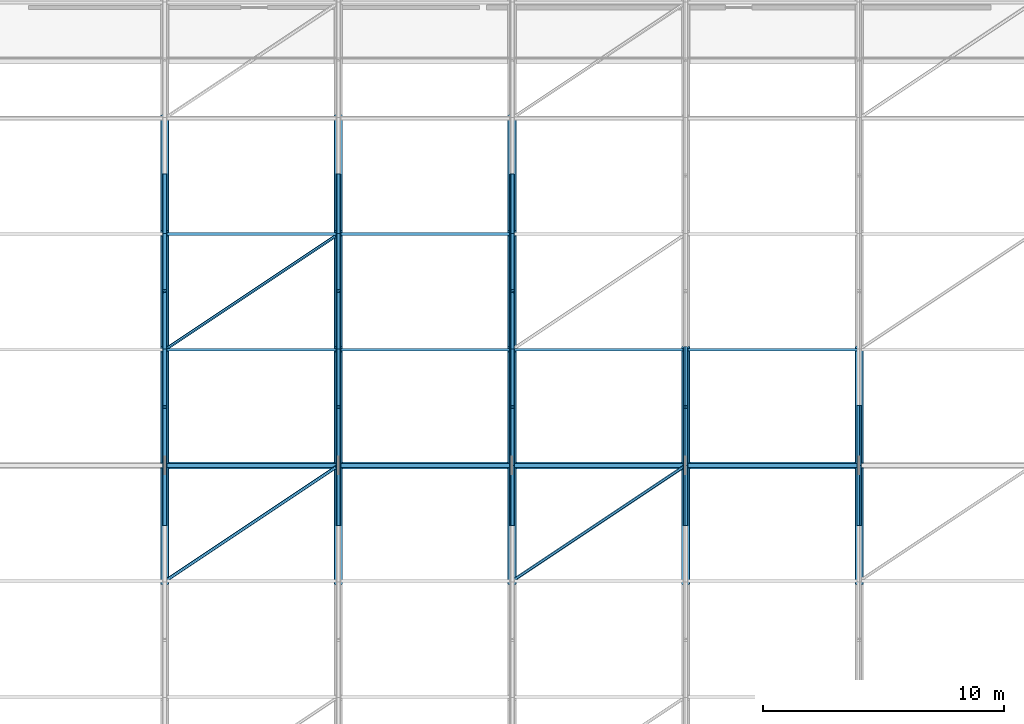
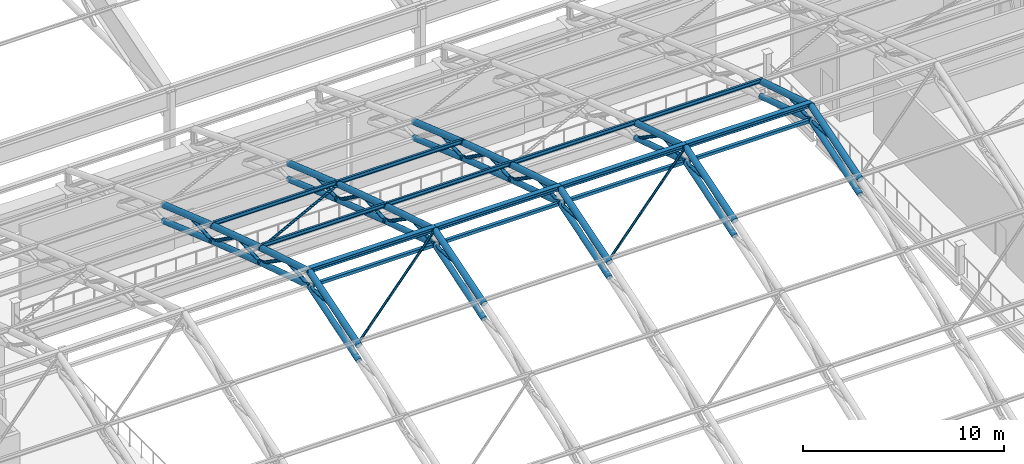
# One storey, part 51 of 116: 72 members.
"""IFC4 building model written with IfcOpenShell, lengths in metres."""

from ifc_helpers import new_model, si_unit, direction, frame, origin, origin_2d, place, context, subcontext, project, spatial, hollow_rectangle, hollow_circle, i_section, extrude, material, material_profile, profile_set, type_object, element, save


model = new_model("IFC4")

# Units and contexts
model_context = context("Model", 3, precision=1e-05, world=origin(), true_north=direction((0.0, 1.0)))
body_context = subcontext(model_context, "Body", "Model", "MODEL_VIEW")
ifc_project = project(units=[si_unit("LENGTHUNIT", "METRE"), si_unit("AREAUNIT", "SQUARE_METRE"), si_unit("VOLUMEUNIT", "CUBIC_METRE"), si_unit("PLANEANGLEUNIT", "RADIAN"), si_unit("MASSUNIT", "GRAM", prefix="KILO")], contexts=[model_context])

# Site, building, storey
site_placement = place(None, origin())
site = spatial("IfcSite", under=ifc_project, at=site_placement, CompositionType="ELEMENT")
building_placement = place(site_placement, origin())
building = spatial("IfcBuilding", under=site, at=building_placement, Name="Cendralis Lancet Convention Centre", CompositionType="ELEMENT")
storey_placement = place(building_placement, frame((0.0, 0.0, 15.0)))
storey = spatial("IfcBuildingStorey", under=building, at=storey_placement, Name="L03", CompositionType="ELEMENT", Elevation=15.0)

# Members
ifc_material = material(Name="Steel S355", Category="steel")
ifc_material_profile_1 = material_profile(ifc_material, hollow_circle(Radius=0.06982421875, WallThickness=0.00634765625, at=origin_2d()), Name="CHS 139.7x6.3")
ifc_profile_set_1 = profile_set([ifc_material_profile_1], Name="Steel S355")
member_type_1 = type_object("IfcMemberType", Name="STR-BR-RB02", PredefinedType="BRACE", material=ifc_profile_set_1)
member_1_placement = place(storey_placement, frame((160.800048828125, 62.39990234375, 9.7666015625), z_axis=(0.820083420216, 0.546731549451, 0.16896093253), x_axis=(-0.554706707029, 0.832045953765, 0.0)))
element("IfcMember", 1, at=member_1_placement, inside=storey, type_object=member_type_1, Name="Roof Diaphragm Brace RB02 V2-03-04A", PredefinedType="BRACE", context=body_context, shape_type="SweptSolid", body=[
    extrude(hollow_circle(Radius=0.06982421875, WallThickness=0.00634765625, at=origin_2d()), origin(), (0.0, 0.0, 1.0), 8.779541015625),
])
member_2_placement = place(storey_placement, frame((160.800048828125, 72.0, 9.7666015625), z_axis=(0.818780471721, 0.545862902394, -0.177854521781), x_axis=(-0.554706707029, 0.832045953765, 0.0)))
element("IfcMember", 2, at=member_2_placement, inside=storey, type_object=member_type_1, Name="Roof Diaphragm Brace RB02 V2-03-06A", PredefinedType="BRACE", context=body_context, shape_type="SweptSolid", body=[
    extrude(hollow_circle(Radius=0.06982421875, WallThickness=0.00634765625, at=origin_2d()), origin(), (0.0, 0.0, 1.0), 8.79345703125),
])
member_3_placement = place(storey_placement, frame((175.199951171875, 62.39990234375, 9.7666015625), z_axis=(0.820083420216, 0.546731549451, 0.16896093253), x_axis=(-0.554706707029, 0.832045953765, 0.0)))
element("IfcMember", 3, at=member_3_placement, inside=storey, type_object=member_type_1, Name="Roof Diaphragm Brace RB02 V2-05-04A", PredefinedType="BRACE", context=body_context, shape_type="SweptSolid", body=[
    extrude(hollow_circle(Radius=0.06982421875, WallThickness=0.00634765625, at=origin_2d()), origin(), (0.0, 0.0, 1.0), 8.779541015625),
])
ifc_material_profile_2 = material_profile(ifc_material, hollow_rectangle(XDim=0.179931640625, YDim=0.179931640625, WallThickness=0.010009765625, at=origin_2d()), Name="SHS 180x180x10.0")
ifc_profile_set_2 = profile_set([ifc_material_profile_2], Name="Steel S355")
member_type_2 = type_object("IfcMemberType", Name="STR-BR-ST02", PredefinedType="STRUT", material=ifc_profile_set_2)
for number, where, z_axis, x_axis, name in (
    (4, (160.800048828125, 67.199951171875, 10.367919921875), (1.0, 0.0, 0.0), (0.0, 1.0, 0.0), "Arch Tie Strut ST02 V2-03-05"),
    (5, (168.0, 67.199951171875, 10.367919921875), (1.0, 0.0, 0.0), (0.0, 1.0, 0.0), "Arch Tie Strut ST02 V2-04-05"),
    (6, (175.199951171875, 67.199951171875, 10.367919921875), (1.0, 0.0, 0.0), (0.0, 1.0, 0.0), "Arch Tie Strut ST02 V2-05-05"),
):
    element("IfcMember", number, at=place(storey_placement, frame(where, z_axis=z_axis, x_axis=x_axis)), inside=storey, type_object=member_type_2, Name=name, PredefinedType="STRUT", context=body_context, shape_type="SweptSolid", body=[
        extrude(hollow_rectangle(XDim=0.179931640625, YDim=0.179931640625, WallThickness=0.010009765625, at=origin_2d()), origin(), (0.0, 0.0, 1.0), 7.199951171875),
    ])
member_4_placement = place(storey_placement, frame((182.39990234375, 67.199951171875, 10.367919921875), z_axis=(1.0, 0.0, 0.0), x_axis=(0.0, 1.0, 0.0)))
element("IfcMember", 7, at=member_4_placement, inside=storey, type_object=member_type_2, Name="Arch Tie Strut ST02 V2-06-05", PredefinedType="STRUT", context=body_context, shape_type="SweptSolid", body=[
    extrude(hollow_rectangle(XDim=0.179931640625, YDim=0.179931640625, WallThickness=0.010009765625, at=origin_2d()), origin(), (0.0, 0.0, 1.0), 7.2001953125),
])
ifc_material_profile_3 = material_profile(ifc_material, i_section(OverallWidth=0.1201171875, OverallDepth=0.239990234375, WebThickness=0.006103515625, FlangeThickness=0.009765625, FilletRadius=0.014892578125, at=origin_2d()), Name="IPE 240")
ifc_profile_set_3 = profile_set([ifc_material_profile_3], Name="Steel S355")
member_type_3 = type_object("IfcMemberType", Name="STR-PR-PR02", PredefinedType="PURLIN", material=ifc_profile_set_3)
for number, where, z_axis, x_axis, name in (
    (8, (160.800048828125, 72.0, 9.896484375), (1.0, 0.0, 0.0), (0.0, 1.0, 0.0), "Vault Roof Purlin PR02 V2-03-06"),
    (9, (160.800048828125, 76.800048828125, 8.332763671875), (1.0, 0.0, 0.0), (0.0, 1.0, 0.0), "Vault Roof Purlin PR02 V2-03-07"),
    (10, (168.0, 72.0, 9.896484375), (1.0, 0.0, 0.0), (0.0, 1.0, 0.0), "Vault Roof Purlin PR02 V2-04-06"),
    (11, (168.0, 76.800048828125, 8.332763671875), (1.0, 0.0, 0.0), (0.0, 1.0, 0.0), "Vault Roof Purlin PR02 V2-04-07"),
    (12, (175.199951171875, 72.0, 9.896484375), (1.0, 0.0, 0.0), (0.0, 1.0, 0.0), "Vault Roof Purlin PR02 V2-05-06"),
):
    element("IfcMember", number, at=place(storey_placement, frame(where, z_axis=z_axis, x_axis=x_axis)), inside=storey, type_object=member_type_3, Name=name, PredefinedType="PURLIN", context=body_context, shape_type="SweptSolid", body=[
        extrude(i_section(OverallWidth=0.1201171875, OverallDepth=0.239990234375, WebThickness=0.006103515625, FlangeThickness=0.009765625, FilletRadius=0.014892578125, at=origin_2d()), origin(), (0.0, 0.0, 1.0), 7.199951171875),
    ])
member_5_placement = place(storey_placement, frame((182.39990234375, 72.0, 9.896484375), z_axis=(1.0, 0.0, 0.0), x_axis=(0.0, 1.0, 0.0)))
element("IfcMember", 13, at=member_5_placement, inside=storey, type_object=member_type_3, Name="Vault Roof Purlin PR02 V2-06-06", PredefinedType="PURLIN", context=body_context, shape_type="SweptSolid", body=[
    extrude(i_section(OverallWidth=0.1201171875, OverallDepth=0.239990234375, WebThickness=0.006103515625, FlangeThickness=0.009765625, FilletRadius=0.014892578125, at=origin_2d()), origin(), (0.0, 0.0, 1.0), 7.2001953125),
])
ifc_material_profile_4 = material_profile(ifc_material, i_section(OverallWidth=0.280029296875, OverallDepth=0.27001953125, WebThickness=0.008056640625, FlangeThickness=0.012939453125, FilletRadius=0.02392578125, at=origin_2d()), Name="HEA 280")
ifc_profile_set_4 = profile_set([ifc_material_profile_4], Name="Steel S355")
member_type_4 = type_object("IfcMemberType", Name="STR-PR-PR06", PredefinedType="PURLIN", material=ifc_profile_set_4)
for number, where, z_axis, x_axis, name in (
    (14, (160.800048828125, 67.199951171875, 11.364990234375), (1.0, 0.0, 0.0), (0.0, 1.0, 0.0), "Vault Roof Purlin PR06 V2-03-05"),
    (15, (168.0, 67.199951171875, 11.364990234375), (1.0, 0.0, 0.0), (0.0, 1.0, 0.0), "Vault Roof Purlin PR06 V2-04-05"),
    (16, (175.199951171875, 67.199951171875, 11.364990234375), (1.0, 0.0, 0.0), (0.0, 1.0, 0.0), "Vault Roof Purlin PR06 V2-05-05"),
):
    element("IfcMember", number, at=place(storey_placement, frame(where, z_axis=z_axis, x_axis=x_axis)), inside=storey, type_object=member_type_4, Name=name, PredefinedType="PURLIN", context=body_context, shape_type="SweptSolid", body=[
        extrude(i_section(OverallWidth=0.280029296875, OverallDepth=0.27001953125, WebThickness=0.008056640625, FlangeThickness=0.012939453125, FilletRadius=0.02392578125, at=origin_2d()), origin(), (0.0, 0.0, 1.0), 7.199951171875),
    ])
member_6_placement = place(storey_placement, frame((182.39990234375, 67.199951171875, 11.364990234375), z_axis=(1.0, 0.0, 0.0), x_axis=(0.0, 1.0, 0.0)))
element("IfcMember", 17, at=member_6_placement, inside=storey, type_object=member_type_4, Name="Vault Roof Purlin PR06 V2-06-05", PredefinedType="PURLIN", context=body_context, shape_type="SweptSolid", body=[
    extrude(i_section(OverallWidth=0.280029296875, OverallDepth=0.27001953125, WebThickness=0.008056640625, FlangeThickness=0.012939453125, FilletRadius=0.02392578125, at=origin_2d()), origin(), (0.0, 0.0, 1.0), 7.2001953125),
])
ifc_material_profile_5 = material_profile(ifc_material, hollow_circle(Radius=0.161865234375, WallThickness=0.01416015625, at=origin_2d()), Name="CHS 323.9x14.2")
ifc_profile_set_5 = profile_set([ifc_material_profile_5], Name="Steel S355")
member_type_5 = type_object("IfcMemberType", Name="STR-TR-BC02-INT", PredefinedType="CHORD", material=ifc_profile_set_5)
for number, where, z_axis, x_axis, name in (
    (18, (160.800048828125, 62.28564453125, 8.814697265625), (0.0, 0.953497974751, 0.301399422935), (-1.0, 0.0, 0.0), "ROOF TRUSS AT-V2-04 Bottom Chord 04"),
    (19, (160.800048828125, 67.085693359375, 10.404296875), (0.0, 0.953497974751, -0.301399422935), (-1.0, 0.0, 0.0), "ROOF TRUSS AT-V2-04 Bottom Chord 05"),
):
    element("IfcMember", number, at=place(storey_placement, frame(where, z_axis=z_axis, x_axis=x_axis)), inside=storey, type_object=member_type_5, Name=name, PredefinedType="CHORD", context=body_context, shape_type="SweptSolid", body=[
        extrude(hollow_circle(Radius=0.161865234375, WallThickness=0.01416015625, at=origin_2d()), origin(), (0.0, 0.0, 1.0), 5.274169921875),
    ])
member_7_placement = place(storey_placement, frame((160.800048828125, 71.885986328125, 8.888916015625), z_axis=(0.0, 0.948830629051, -0.315785429325), x_axis=(-1.0, 0.0, 0.0)))
element("IfcMember", 20, at=member_7_placement, inside=storey, type_object=member_type_5, Name="ROOF TRUSS AT-V2-04 Bottom Chord 06", PredefinedType="CHORD", context=body_context, shape_type="SweptSolid", body=[
    extrude(hollow_circle(Radius=0.161865234375, WallThickness=0.01416015625, at=origin_2d()), origin(), (0.0, 0.0, 1.0), 5.299072265625),
])
member_8_placement = place(storey_placement, frame((160.800048828125, 76.68701171875, 7.29345703125), z_axis=(0.0, 0.942788943503, -0.333390173833), x_axis=(-1.0, 0.0, 0.0)))
element("IfcMember", 21, at=member_8_placement, inside=storey, type_object=member_type_5, Name="ROOF TRUSS AT-V2-04 Bottom Chord 07", PredefinedType="CHORD", context=body_context, shape_type="SweptSolid", body=[
    extrude(hollow_circle(Radius=0.161865234375, WallThickness=0.01416015625, at=origin_2d()), origin(), (0.0, 0.0, 1.0), 5.3310546875),
])
for number, where, z_axis, x_axis, name in (
    (22, (168.0, 62.28564453125, 8.814697265625), (0.0, 0.953497974751, 0.301399422935), (-1.0, 0.0, 0.0), "ROOF TRUSS AT-V2-05 Bottom Chord 04"),
    (23, (168.0, 67.085693359375, 10.404296875), (0.0, 0.953497974751, -0.301399422935), (-1.0, 0.0, 0.0), "ROOF TRUSS AT-V2-05 Bottom Chord 05"),
):
    element("IfcMember", number, at=place(storey_placement, frame(where, z_axis=z_axis, x_axis=x_axis)), inside=storey, type_object=member_type_5, Name=name, PredefinedType="CHORD", context=body_context, shape_type="SweptSolid", body=[
        extrude(hollow_circle(Radius=0.161865234375, WallThickness=0.01416015625, at=origin_2d()), origin(), (0.0, 0.0, 1.0), 5.274169921875),
    ])
member_9_placement = place(storey_placement, frame((168.0, 71.885986328125, 8.888916015625), z_axis=(0.0, 0.948830629051, -0.315785429325), x_axis=(-1.0, 0.0, 0.0)))
element("IfcMember", 24, at=member_9_placement, inside=storey, type_object=member_type_5, Name="ROOF TRUSS AT-V2-05 Bottom Chord 06", PredefinedType="CHORD", context=body_context, shape_type="SweptSolid", body=[
    extrude(hollow_circle(Radius=0.161865234375, WallThickness=0.01416015625, at=origin_2d()), origin(), (0.0, 0.0, 1.0), 5.299072265625),
])
member_10_placement = place(storey_placement, frame((168.0, 76.68701171875, 7.29345703125), z_axis=(0.0, 0.942788943503, -0.333390173833), x_axis=(-1.0, 0.0, 0.0)))
element("IfcMember", 25, at=member_10_placement, inside=storey, type_object=member_type_5, Name="ROOF TRUSS AT-V2-05 Bottom Chord 07", PredefinedType="CHORD", context=body_context, shape_type="SweptSolid", body=[
    extrude(hollow_circle(Radius=0.161865234375, WallThickness=0.01416015625, at=origin_2d()), origin(), (0.0, 0.0, 1.0), 5.3310546875),
])
for number, where, z_axis, x_axis, name in (
    (26, (175.199951171875, 62.28564453125, 8.814697265625), (0.0, 0.953497974751, 0.301399422935), (-1.0, 0.0, 0.0), "ROOF TRUSS AT-V2-06 Bottom Chord 04"),
    (27, (175.199951171875, 67.085693359375, 10.404296875), (0.0, 0.953497974751, -0.301399422935), (-1.0, 0.0, 0.0), "ROOF TRUSS AT-V2-06 Bottom Chord 05"),
):
    element("IfcMember", number, at=place(storey_placement, frame(where, z_axis=z_axis, x_axis=x_axis)), inside=storey, type_object=member_type_5, Name=name, PredefinedType="CHORD", context=body_context, shape_type="SweptSolid", body=[
        extrude(hollow_circle(Radius=0.161865234375, WallThickness=0.01416015625, at=origin_2d()), origin(), (0.0, 0.0, 1.0), 5.274169921875),
    ])
member_11_placement = place(storey_placement, frame((175.199951171875, 71.885986328125, 8.888916015625), z_axis=(0.0, 0.948830629051, -0.315785429325), x_axis=(-1.0, 0.0, 0.0)))
element("IfcMember", 28, at=member_11_placement, inside=storey, type_object=member_type_5, Name="ROOF TRUSS AT-V2-06 Bottom Chord 06", PredefinedType="CHORD", context=body_context, shape_type="SweptSolid", body=[
    extrude(hollow_circle(Radius=0.161865234375, WallThickness=0.01416015625, at=origin_2d()), origin(), (0.0, 0.0, 1.0), 5.299072265625),
])
member_12_placement = place(storey_placement, frame((175.199951171875, 76.68701171875, 7.29345703125), z_axis=(0.0, 0.942788943503, -0.333390173833), x_axis=(-1.0, 0.0, 0.0)))
element("IfcMember", 29, at=member_12_placement, inside=storey, type_object=member_type_5, Name="ROOF TRUSS AT-V2-06 Bottom Chord 07", PredefinedType="CHORD", context=body_context, shape_type="SweptSolid", body=[
    extrude(hollow_circle(Radius=0.161865234375, WallThickness=0.01416015625, at=origin_2d()), origin(), (0.0, 0.0, 1.0), 5.3310546875),
])
for number, where, z_axis, x_axis, name in (
    (30, (182.39990234375, 62.28564453125, 8.814697265625), (0.0, 0.953497974751, 0.301399422935), (-1.0, 0.0, 0.0), "ROOF TRUSS AT-V2-07 Bottom Chord 04"),
    (31, (182.39990234375, 67.085693359375, 10.404296875), (0.0, 0.953497974751, -0.301399422935), (-1.0, 0.0, 0.0), "ROOF TRUSS AT-V2-07 Bottom Chord 05"),
    (32, (189.60009765625, 62.28564453125, 8.814697265625), (0.0, 0.953497974751, 0.301399422935), (-1.0, 0.0, 0.0), "ROOF TRUSS AT-V2-08 Bottom Chord 04"),
    (33, (189.60009765625, 67.085693359375, 10.404296875), (0.0, 0.953497974751, -0.301399422935), (-1.0, 0.0, 0.0), "ROOF TRUSS AT-V2-08 Bottom Chord 05"),
):
    element("IfcMember", number, at=place(storey_placement, frame(where, z_axis=z_axis, x_axis=x_axis)), inside=storey, type_object=member_type_5, Name=name, PredefinedType="CHORD", context=body_context, shape_type="SweptSolid", body=[
        extrude(hollow_circle(Radius=0.161865234375, WallThickness=0.01416015625, at=origin_2d()), origin(), (0.0, 0.0, 1.0), 5.274169921875),
    ])
ifc_material_profile_6 = material_profile(ifc_material, hollow_circle(Radius=0.177734375, WallThickness=0.01611328125, at=origin_2d()), Name="CHS 355.6x16.0")
ifc_profile_set_6 = profile_set([ifc_material_profile_6], Name="Steel S355")
member_type_6 = type_object("IfcMemberType", Name="STR-TR-TC02-INT", PredefinedType="CHORD", material=ifc_profile_set_6)
member_13_placement = place(storey_placement, frame((160.800048828125, 62.285400390625, 9.731201171875), z_axis=(0.0, 0.955419293566, 0.295252389458), x_axis=(-1.0, 0.0, 0.0)))
element("IfcMember", 34, at=member_13_placement, inside=storey, type_object=member_type_6, Name="ROOF TRUSS AT-V2-04 Top Chord 04", PredefinedType="CHORD", context=body_context, shape_type="SweptSolid", body=[
    extrude(hollow_circle(Radius=0.177734375, WallThickness=0.01611328125, at=origin_2d()), origin(), (0.0, 0.0, 1.0), 5.263916015625),
])
member_14_placement = place(storey_placement, frame((160.800048828125, 67.08544921875, 11.285400390625), z_axis=(0.0, 0.955415250206, -0.295265473218), x_axis=(-1.0, 0.0, 0.0)))
element("IfcMember", 35, at=member_14_placement, inside=storey, type_object=member_type_6, Name="ROOF TRUSS AT-V2-04 Top Chord 05", PredefinedType="CHORD", context=body_context, shape_type="SweptSolid", body=[
    extrude(hollow_circle(Radius=0.177734375, WallThickness=0.01611328125, at=origin_2d()), origin(), (0.0, 0.0, 1.0), 5.263671875),
])
member_15_placement = place(storey_placement, frame((160.800048828125, 71.885986328125, 9.8037109375), z_axis=(0.0, 0.950808200203, -0.309780190501), x_axis=(-1.0, 0.0, 0.0)))
element("IfcMember", 36, at=member_15_placement, inside=storey, type_object=member_type_6, Name="ROOF TRUSS AT-V2-04 Top Chord 06", PredefinedType="CHORD", context=body_context, shape_type="SweptSolid", body=[
    extrude(hollow_circle(Radius=0.177734375, WallThickness=0.01611328125, at=origin_2d()), origin(), (0.0, 0.0, 1.0), 5.288330078125),
])
member_16_placement = place(storey_placement, frame((160.800048828125, 76.6865234375, 8.241943359375), z_axis=(0.0, 0.944848505706, -0.327507711764), x_axis=(-1.0, 0.0, 0.0)))
element("IfcMember", 37, at=member_16_placement, inside=storey, type_object=member_type_6, Name="ROOF TRUSS AT-V2-04 Top Chord 07", PredefinedType="CHORD", context=body_context, shape_type="SweptSolid", body=[
    extrude(hollow_circle(Radius=0.177734375, WallThickness=0.01611328125, at=origin_2d()), origin(), (0.0, 0.0, 1.0), 5.3203125),
])
member_17_placement = place(storey_placement, frame((168.0, 62.285400390625, 9.731201171875), z_axis=(0.0, 0.955419293566, 0.295252389458), x_axis=(-1.0, 0.0, 0.0)))
element("IfcMember", 38, at=member_17_placement, inside=storey, type_object=member_type_6, Name="ROOF TRUSS AT-V2-05 Top Chord 04", PredefinedType="CHORD", context=body_context, shape_type="SweptSolid", body=[
    extrude(hollow_circle(Radius=0.177734375, WallThickness=0.01611328125, at=origin_2d()), origin(), (0.0, 0.0, 1.0), 5.263916015625),
])
member_18_placement = place(storey_placement, frame((168.0, 67.08544921875, 11.285400390625), z_axis=(0.0, 0.955415250206, -0.295265473218), x_axis=(-1.0, 0.0, 0.0)))
element("IfcMember", 39, at=member_18_placement, inside=storey, type_object=member_type_6, Name="ROOF TRUSS AT-V2-05 Top Chord 05", PredefinedType="CHORD", context=body_context, shape_type="SweptSolid", body=[
    extrude(hollow_circle(Radius=0.177734375, WallThickness=0.01611328125, at=origin_2d()), origin(), (0.0, 0.0, 1.0), 5.263671875),
])
member_19_placement = place(storey_placement, frame((168.0, 71.885986328125, 9.8037109375), z_axis=(0.0, 0.950808200203, -0.309780190501), x_axis=(-1.0, 0.0, 0.0)))
element("IfcMember", 40, at=member_19_placement, inside=storey, type_object=member_type_6, Name="ROOF TRUSS AT-V2-05 Top Chord 06", PredefinedType="CHORD", context=body_context, shape_type="SweptSolid", body=[
    extrude(hollow_circle(Radius=0.177734375, WallThickness=0.01611328125, at=origin_2d()), origin(), (0.0, 0.0, 1.0), 5.288330078125),
])
member_20_placement = place(storey_placement, frame((168.0, 76.6865234375, 8.241943359375), z_axis=(0.0, 0.944848505706, -0.327507711764), x_axis=(-1.0, 0.0, 0.0)))
element("IfcMember", 41, at=member_20_placement, inside=storey, type_object=member_type_6, Name="ROOF TRUSS AT-V2-05 Top Chord 07", PredefinedType="CHORD", context=body_context, shape_type="SweptSolid", body=[
    extrude(hollow_circle(Radius=0.177734375, WallThickness=0.01611328125, at=origin_2d()), origin(), (0.0, 0.0, 1.0), 5.3203125),
])
member_21_placement = place(storey_placement, frame((175.199951171875, 62.285400390625, 9.731201171875), z_axis=(0.0, 0.955419293566, 0.295252389458), x_axis=(-1.0, 0.0, 0.0)))
element("IfcMember", 42, at=member_21_placement, inside=storey, type_object=member_type_6, Name="ROOF TRUSS AT-V2-06 Top Chord 04", PredefinedType="CHORD", context=body_context, shape_type="SweptSolid", body=[
    extrude(hollow_circle(Radius=0.177734375, WallThickness=0.01611328125, at=origin_2d()), origin(), (0.0, 0.0, 1.0), 5.263916015625),
])
member_22_placement = place(storey_placement, frame((175.199951171875, 67.08544921875, 11.285400390625), z_axis=(0.0, 0.955415250206, -0.295265473218), x_axis=(-1.0, 0.0, 0.0)))
element("IfcMember", 43, at=member_22_placement, inside=storey, type_object=member_type_6, Name="ROOF TRUSS AT-V2-06 Top Chord 05", PredefinedType="CHORD", context=body_context, shape_type="SweptSolid", body=[
    extrude(hollow_circle(Radius=0.177734375, WallThickness=0.01611328125, at=origin_2d()), origin(), (0.0, 0.0, 1.0), 5.263671875),
])
member_23_placement = place(storey_placement, frame((175.199951171875, 71.885986328125, 9.8037109375), z_axis=(0.0, 0.950808200203, -0.309780190501), x_axis=(-1.0, 0.0, 0.0)))
element("IfcMember", 44, at=member_23_placement, inside=storey, type_object=member_type_6, Name="ROOF TRUSS AT-V2-06 Top Chord 06", PredefinedType="CHORD", context=body_context, shape_type="SweptSolid", body=[
    extrude(hollow_circle(Radius=0.177734375, WallThickness=0.01611328125, at=origin_2d()), origin(), (0.0, 0.0, 1.0), 5.288330078125),
])
member_24_placement = place(storey_placement, frame((175.199951171875, 76.6865234375, 8.241943359375), z_axis=(0.0, 0.944848505706, -0.327507711764), x_axis=(-1.0, 0.0, 0.0)))
element("IfcMember", 45, at=member_24_placement, inside=storey, type_object=member_type_6, Name="ROOF TRUSS AT-V2-06 Top Chord 07", PredefinedType="CHORD", context=body_context, shape_type="SweptSolid", body=[
    extrude(hollow_circle(Radius=0.177734375, WallThickness=0.01611328125, at=origin_2d()), origin(), (0.0, 0.0, 1.0), 5.3203125),
])
member_25_placement = place(storey_placement, frame((182.39990234375, 62.285400390625, 9.731201171875), z_axis=(0.0, 0.955419293566, 0.295252389458), x_axis=(-1.0, 0.0, 0.0)))
element("IfcMember", 46, at=member_25_placement, inside=storey, type_object=member_type_6, Name="ROOF TRUSS AT-V2-07 Top Chord 04", PredefinedType="CHORD", context=body_context, shape_type="SweptSolid", body=[
    extrude(hollow_circle(Radius=0.177734375, WallThickness=0.01611328125, at=origin_2d()), origin(), (0.0, 0.0, 1.0), 5.263916015625),
])
member_26_placement = place(storey_placement, frame((182.39990234375, 67.08544921875, 11.285400390625), z_axis=(0.0, 0.955415250206, -0.295265473218), x_axis=(-1.0, 0.0, 0.0)))
element("IfcMember", 47, at=member_26_placement, inside=storey, type_object=member_type_6, Name="ROOF TRUSS AT-V2-07 Top Chord 05", PredefinedType="CHORD", context=body_context, shape_type="SweptSolid", body=[
    extrude(hollow_circle(Radius=0.177734375, WallThickness=0.01611328125, at=origin_2d()), origin(), (0.0, 0.0, 1.0), 5.263671875),
])
member_27_placement = place(storey_placement, frame((189.60009765625, 62.285400390625, 9.731201171875), z_axis=(0.0, 0.955419293566, 0.295252389458), x_axis=(-1.0, 0.0, 0.0)))
element("IfcMember", 48, at=member_27_placement, inside=storey, type_object=member_type_6, Name="ROOF TRUSS AT-V2-08 Top Chord 04", PredefinedType="CHORD", context=body_context, shape_type="SweptSolid", body=[
    extrude(hollow_circle(Radius=0.177734375, WallThickness=0.01611328125, at=origin_2d()), origin(), (0.0, 0.0, 1.0), 5.263916015625),
])
member_28_placement = place(storey_placement, frame((189.60009765625, 67.08544921875, 11.285400390625), z_axis=(0.0, 0.955415250206, -0.295265473218), x_axis=(-1.0, 0.0, 0.0)))
element("IfcMember", 49, at=member_28_placement, inside=storey, type_object=member_type_6, Name="ROOF TRUSS AT-V2-08 Top Chord 05", PredefinedType="CHORD", context=body_context, shape_type="SweptSolid", body=[
    extrude(hollow_circle(Radius=0.177734375, WallThickness=0.01611328125, at=origin_2d()), origin(), (0.0, 0.0, 1.0), 5.263671875),
])
ifc_material_profile_7 = material_profile(ifc_material, hollow_circle(Radius=0.096923828125, WallThickness=0.008056640625, at=origin_2d()), Name="CHS 193.7x8.0")
ifc_profile_set_7 = profile_set([ifc_material_profile_7], Name="Steel S355")
member_type_7 = type_object("IfcMemberType", Name="STR-TR-WD02-INT", PredefinedType="BRACE", material=ifc_profile_set_7)
for number, where, z_axis, x_axis, name in (
    (50, (160.800048828125, 64.7001953125, 10.51416015625), (0.0, 0.998298213899, -0.058315316402), (-1.0, 0.0, 0.0), "ROOF TRUSS AT-V2-04 Warren Web 04-1"),
    (51, (160.800048828125, 67.10009765625, 10.3623046875), (0.0, 0.998298213899, 0.058315316402), (-1.0, 0.0, 0.0), "ROOF TRUSS AT-V2-04 Warren Web 05-0"),
):
    element("IfcMember", number, at=place(storey_placement, frame(where, z_axis=z_axis, x_axis=x_axis)), inside=storey, type_object=member_type_7, Name=name, PredefinedType="BRACE", context=body_context, shape_type="SweptSolid", body=[
        extrude(hollow_circle(Radius=0.096923828125, WallThickness=0.008056640625, at=origin_2d()), origin(), (0.0, 0.0, 1.0), 2.60400390625),
    ])
member_29_placement = place(storey_placement, frame((160.800048828125, 69.517578125, 10.565185546875), z_axis=(0.0, 0.822876843509, -0.56821976419), x_axis=(-1.0, 0.0, 0.0)))
element("IfcMember", 52, at=member_29_placement, inside=storey, type_object=member_type_7, Name="ROOF TRUSS AT-V2-04 Warren Web 05-1", PredefinedType="BRACE", context=body_context, shape_type="SweptSolid", body=[
    extrude(hollow_circle(Radius=0.096923828125, WallThickness=0.008056640625, at=origin_2d()), origin(), (0.0, 0.0, 1.0), 3.11669921875),
])
member_30_placement = place(storey_placement, frame((160.800048828125, 71.900146484375, 8.84521484375), z_axis=(0.0, 0.998447632237, 0.055698524939), x_axis=(-1.0, 0.0, 0.0)))
element("IfcMember", 53, at=member_30_placement, inside=storey, type_object=member_type_7, Name="ROOF TRUSS AT-V2-04 Warren Web 06-0", PredefinedType="BRACE", context=body_context, shape_type="SweptSolid", body=[
    extrude(hollow_circle(Radius=0.096923828125, WallThickness=0.008056640625, at=origin_2d()), origin(), (0.0, 0.0, 1.0), 2.603759765625),
])
member_31_placement = place(storey_placement, frame((160.800048828125, 74.31884765625, 9.043212890625), z_axis=(0.0, 0.811035686786, -0.584996679273), x_axis=(-1.0, 0.0, 0.0)))
element("IfcMember", 54, at=member_31_placement, inside=storey, type_object=member_type_7, Name="ROOF TRUSS AT-V2-04 Warren Web 06-1", PredefinedType="BRACE", context=body_context, shape_type="SweptSolid", body=[
    extrude(hollow_circle(Radius=0.096923828125, WallThickness=0.008056640625, at=origin_2d()), origin(), (0.0, 0.0, 1.0), 3.1591796875),
])
member_32_placement = place(storey_placement, frame((160.800048828125, 76.7001953125, 7.24853515625), z_axis=(0.0, 0.998805103147, 0.048870910851), x_axis=(-1.0, 0.0, 0.0)))
element("IfcMember", 55, at=member_32_placement, inside=storey, type_object=member_type_7, Name="ROOF TRUSS AT-V2-04 Warren Web 07-0", PredefinedType="BRACE", context=body_context, shape_type="SweptSolid", body=[
    extrude(hollow_circle(Radius=0.096923828125, WallThickness=0.008056640625, at=origin_2d()), origin(), (0.0, 0.0, 1.0), 2.602783203125),
])
for number, where, z_axis, x_axis, name in (
    (56, (168.0, 64.7001953125, 10.51416015625), (0.0, 0.998298213899, -0.058315316402), (-1.0, 0.0, 0.0), "ROOF TRUSS AT-V2-05 Warren Web 04-1"),
    (57, (168.0, 67.10009765625, 10.3623046875), (0.0, 0.998298213899, 0.058315316402), (-1.0, 0.0, 0.0), "ROOF TRUSS AT-V2-05 Warren Web 05-0"),
):
    element("IfcMember", number, at=place(storey_placement, frame(where, z_axis=z_axis, x_axis=x_axis)), inside=storey, type_object=member_type_7, Name=name, PredefinedType="BRACE", context=body_context, shape_type="SweptSolid", body=[
        extrude(hollow_circle(Radius=0.096923828125, WallThickness=0.008056640625, at=origin_2d()), origin(), (0.0, 0.0, 1.0), 2.60400390625),
    ])
member_33_placement = place(storey_placement, frame((168.0, 69.517578125, 10.565185546875), z_axis=(0.0, 0.822876843509, -0.56821976419), x_axis=(-1.0, 0.0, 0.0)))
element("IfcMember", 58, at=member_33_placement, inside=storey, type_object=member_type_7, Name="ROOF TRUSS AT-V2-05 Warren Web 05-1", PredefinedType="BRACE", context=body_context, shape_type="SweptSolid", body=[
    extrude(hollow_circle(Radius=0.096923828125, WallThickness=0.008056640625, at=origin_2d()), origin(), (0.0, 0.0, 1.0), 3.11669921875),
])
member_34_placement = place(storey_placement, frame((168.0, 71.900146484375, 8.84521484375), z_axis=(0.0, 0.998447632237, 0.055698524939), x_axis=(-1.0, 0.0, 0.0)))
element("IfcMember", 59, at=member_34_placement, inside=storey, type_object=member_type_7, Name="ROOF TRUSS AT-V2-05 Warren Web 06-0", PredefinedType="BRACE", context=body_context, shape_type="SweptSolid", body=[
    extrude(hollow_circle(Radius=0.096923828125, WallThickness=0.008056640625, at=origin_2d()), origin(), (0.0, 0.0, 1.0), 2.603759765625),
])
member_35_placement = place(storey_placement, frame((168.0, 74.31884765625, 9.043212890625), z_axis=(0.0, 0.811035686786, -0.584996679273), x_axis=(-1.0, 0.0, 0.0)))
element("IfcMember", 60, at=member_35_placement, inside=storey, type_object=member_type_7, Name="ROOF TRUSS AT-V2-05 Warren Web 06-1", PredefinedType="BRACE", context=body_context, shape_type="SweptSolid", body=[
    extrude(hollow_circle(Radius=0.096923828125, WallThickness=0.008056640625, at=origin_2d()), origin(), (0.0, 0.0, 1.0), 3.1591796875),
])
member_36_placement = place(storey_placement, frame((168.0, 76.7001953125, 7.24853515625), z_axis=(0.0, 0.998805103147, 0.048870910851), x_axis=(-1.0, 0.0, 0.0)))
element("IfcMember", 61, at=member_36_placement, inside=storey, type_object=member_type_7, Name="ROOF TRUSS AT-V2-05 Warren Web 07-0", PredefinedType="BRACE", context=body_context, shape_type="SweptSolid", body=[
    extrude(hollow_circle(Radius=0.096923828125, WallThickness=0.008056640625, at=origin_2d()), origin(), (0.0, 0.0, 1.0), 2.602783203125),
])
for number, where, z_axis, x_axis, name in (
    (62, (175.199951171875, 64.7001953125, 10.51416015625), (0.0, 0.998298213899, -0.058315316402), (-1.0, 0.0, 0.0), "ROOF TRUSS AT-V2-06 Warren Web 04-1"),
    (63, (175.199951171875, 67.10009765625, 10.3623046875), (0.0, 0.998298213899, 0.058315316402), (-1.0, 0.0, 0.0), "ROOF TRUSS AT-V2-06 Warren Web 05-0"),
):
    element("IfcMember", number, at=place(storey_placement, frame(where, z_axis=z_axis, x_axis=x_axis)), inside=storey, type_object=member_type_7, Name=name, PredefinedType="BRACE", context=body_context, shape_type="SweptSolid", body=[
        extrude(hollow_circle(Radius=0.096923828125, WallThickness=0.008056640625, at=origin_2d()), origin(), (0.0, 0.0, 1.0), 2.60400390625),
    ])
member_37_placement = place(storey_placement, frame((175.199951171875, 69.517578125, 10.565185546875), z_axis=(0.0, 0.822876843509, -0.56821976419), x_axis=(-1.0, 0.0, 0.0)))
element("IfcMember", 64, at=member_37_placement, inside=storey, type_object=member_type_7, Name="ROOF TRUSS AT-V2-06 Warren Web 05-1", PredefinedType="BRACE", context=body_context, shape_type="SweptSolid", body=[
    extrude(hollow_circle(Radius=0.096923828125, WallThickness=0.008056640625, at=origin_2d()), origin(), (0.0, 0.0, 1.0), 3.11669921875),
])
member_38_placement = place(storey_placement, frame((175.199951171875, 71.900146484375, 8.84521484375), z_axis=(0.0, 0.998447632237, 0.055698524939), x_axis=(-1.0, 0.0, 0.0)))
element("IfcMember", 65, at=member_38_placement, inside=storey, type_object=member_type_7, Name="ROOF TRUSS AT-V2-06 Warren Web 06-0", PredefinedType="BRACE", context=body_context, shape_type="SweptSolid", body=[
    extrude(hollow_circle(Radius=0.096923828125, WallThickness=0.008056640625, at=origin_2d()), origin(), (0.0, 0.0, 1.0), 2.603759765625),
])
member_39_placement = place(storey_placement, frame((175.199951171875, 74.31884765625, 9.043212890625), z_axis=(0.0, 0.811035686786, -0.584996679273), x_axis=(-1.0, 0.0, 0.0)))
element("IfcMember", 66, at=member_39_placement, inside=storey, type_object=member_type_7, Name="ROOF TRUSS AT-V2-06 Warren Web 06-1", PredefinedType="BRACE", context=body_context, shape_type="SweptSolid", body=[
    extrude(hollow_circle(Radius=0.096923828125, WallThickness=0.008056640625, at=origin_2d()), origin(), (0.0, 0.0, 1.0), 3.1591796875),
])
member_40_placement = place(storey_placement, frame((175.199951171875, 76.7001953125, 7.24853515625), z_axis=(0.0, 0.998805103147, 0.048870910851), x_axis=(-1.0, 0.0, 0.0)))
element("IfcMember", 67, at=member_40_placement, inside=storey, type_object=member_type_7, Name="ROOF TRUSS AT-V2-06 Warren Web 07-0", PredefinedType="BRACE", context=body_context, shape_type="SweptSolid", body=[
    extrude(hollow_circle(Radius=0.096923828125, WallThickness=0.008056640625, at=origin_2d()), origin(), (0.0, 0.0, 1.0), 2.602783203125),
])
for number, where, z_axis, x_axis, name in (
    (68, (182.39990234375, 64.7001953125, 10.51416015625), (0.0, 0.998298213899, -0.058315316402), (-1.0, 0.0, 0.0), "ROOF TRUSS AT-V2-07 Warren Web 04-1"),
    (69, (182.39990234375, 67.10009765625, 10.3623046875), (0.0, 0.998298213899, 0.058315316402), (-1.0, 0.0, 0.0), "ROOF TRUSS AT-V2-07 Warren Web 05-0"),
):
    element("IfcMember", number, at=place(storey_placement, frame(where, z_axis=z_axis, x_axis=x_axis)), inside=storey, type_object=member_type_7, Name=name, PredefinedType="BRACE", context=body_context, shape_type="SweptSolid", body=[
        extrude(hollow_circle(Radius=0.096923828125, WallThickness=0.008056640625, at=origin_2d()), origin(), (0.0, 0.0, 1.0), 2.60400390625),
    ])
member_41_placement = place(storey_placement, frame((182.39990234375, 69.517578125, 10.565185546875), z_axis=(0.0, 0.822876843509, -0.56821976419), x_axis=(-1.0, 0.0, 0.0)))
element("IfcMember", 70, at=member_41_placement, inside=storey, type_object=member_type_7, Name="ROOF TRUSS AT-V2-07 Warren Web 05-1", PredefinedType="BRACE", context=body_context, shape_type="SweptSolid", body=[
    extrude(hollow_circle(Radius=0.096923828125, WallThickness=0.008056640625, at=origin_2d()), origin(), (0.0, 0.0, 1.0), 3.11669921875),
])
for number, where, z_axis, x_axis, name in (
    (71, (189.60009765625, 64.7001953125, 10.51416015625), (0.0, 0.998298213899, -0.058315316402), (-1.0, 0.0, 0.0), "ROOF TRUSS AT-V2-08 Warren Web 04-1"),
    (72, (189.60009765625, 67.10009765625, 10.3623046875), (0.0, 0.998298213899, 0.058315316402), (-1.0, 0.0, 0.0), "ROOF TRUSS AT-V2-08 Warren Web 05-0"),
):
    element("IfcMember", number, at=place(storey_placement, frame(where, z_axis=z_axis, x_axis=x_axis)), inside=storey, type_object=member_type_7, Name=name, PredefinedType="BRACE", context=body_context, shape_type="SweptSolid", body=[
        extrude(hollow_circle(Radius=0.096923828125, WallThickness=0.008056640625, at=origin_2d()), origin(), (0.0, 0.0, 1.0), 2.60400390625),
    ])

save(model, "model.ifc")
